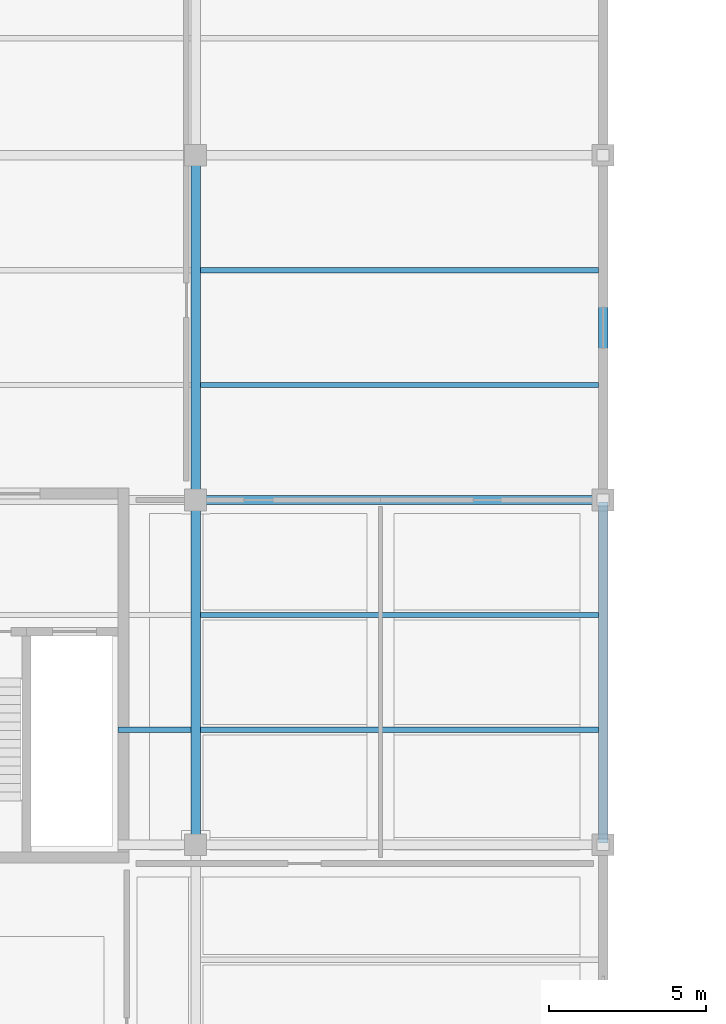
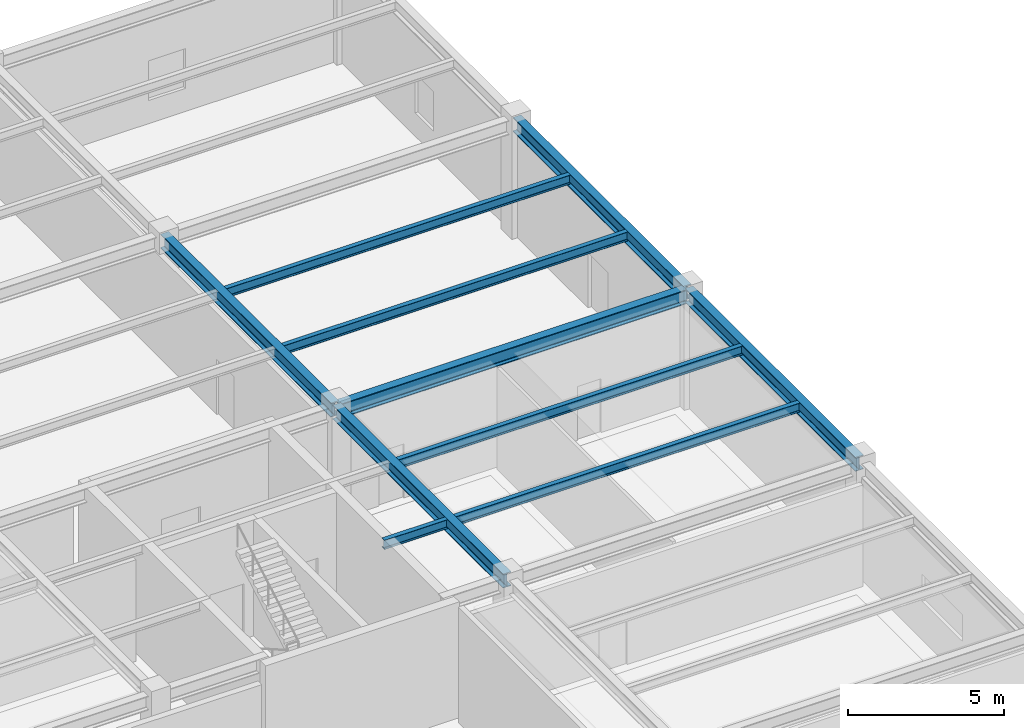
# One storey, part 52 of 108: 10 beams.
"""IFC4 building model written with IfcOpenShell, lengths in metres."""

from ifc_helpers import new_model, si_unit, direction, frame, origin, origin_2d, place, context, subcontext, project, spatial, i_section, extrude, material, material_profile, profile_set, type_object, element, save


model = new_model("IFC4")

# Units and contexts
model_context = context("Model", 3, precision=1e-05, world=origin(), true_north=direction((0.0, 1.0)))
body_context = subcontext(model_context, "Body", "Model", "MODEL_VIEW")
ifc_project = project(units=[si_unit("LENGTHUNIT", "METRE"), si_unit("AREAUNIT", "SQUARE_METRE"), si_unit("VOLUMEUNIT", "CUBIC_METRE"), si_unit("PLANEANGLEUNIT", "RADIAN"), si_unit("MASSUNIT", "GRAM", prefix="KILO")], contexts=[model_context])

# Site, building, storey
site_placement = place(None, origin())
site = spatial("IfcSite", under=ifc_project, at=site_placement, CompositionType="ELEMENT")
building_placement = place(site_placement, origin())
building = spatial("IfcBuilding", under=site, at=building_placement, Name="Tarnveldt Headland Concert Hall", CompositionType="ELEMENT")
storey_placement = place(building_placement, origin())
storey = spatial("IfcBuildingStorey", under=building, at=storey_placement, Name="L00", CompositionType="ELEMENT", Elevation=0.0)

# Beams
ifc_material = material(Name="Steel S355", Category="steel")
ifc_material_profile_1 = material_profile(ifc_material, i_section(OverallWidth=0.300048828125, OverallDepth=0.550048828125, WebThickness=0.014892578125, FlangeThickness=0.029052734375, FilletRadius=0.027099609375, at=origin_2d()), Name="HEB550", Category="steel")
ifc_profile_set_1 = profile_set([ifc_material_profile_1], Name="Steel S355")
beam_type_1 = type_object("IfcBeamType", Name="SB-HEB550", PredefinedType="BEAM", material=ifc_profile_set_1)
beam_1_placement = place(storey_placement, frame((44.56005859375, 93.0, 4.2451171875), z_axis=(1.0, 0.0, 0.0), x_axis=(0.0, 1.0, 0.0)))
element("IfcBeam", 1, at=beam_1_placement, inside=storey, type_object=beam_type_1, Name="Framing beam L00-620", PredefinedType="BEAM", context=body_context, shape_type="SweptSolid", body=[
    extrude(i_section(OverallWidth=0.300048828125, OverallDepth=0.550048828125, WebThickness=0.014892578125, FlangeThickness=0.029052734375, FilletRadius=0.027099609375, at=origin_2d()), origin(), (0.0, 0.0, 1.0), 12.8798828125),
])
for number, where, z_axis, x_axis, name in (
    (2, (44.5, 82.06005859375, 4.2451171875), (0.0, 1.0, 0.0), (-1.0, 0.0, 0.0), "Framing beam L00-663"),
    (3, (44.5, 93.06005859375, 4.2451171875), (0.0, 1.0, 0.0), (-1.0, 0.0, 0.0), "Framing beam L00-666"),
    (4, (57.5, 82.06005859375, 4.2451171875), (0.0, 1.0, 0.0), (-1.0, 0.0, 0.0), "Framing beam L00-674"),
    (5, (57.5, 93.06005859375, 4.2451171875), (0.0, 1.0, 0.0), (-1.0, 0.0, 0.0), "Framing beam L00-675"),
):
    element("IfcBeam", number, at=place(storey_placement, frame(where, z_axis=z_axis, x_axis=x_axis)), inside=storey, type_object=beam_type_1, Name=name, PredefinedType="BEAM", context=body_context, shape_type="SweptSolid", body=[
        extrude(i_section(OverallWidth=0.300048828125, OverallDepth=0.550048828125, WebThickness=0.014892578125, FlangeThickness=0.029052734375, FilletRadius=0.027099609375, at=origin_2d()), origin(), (0.0, 0.0, 1.0), 10.8798828125),
    ])
ifc_material_profile_2 = material_profile(ifc_material, i_section(OverallWidth=0.169921875, OverallDepth=0.360107421875, WebThickness=0.008056640625, FlangeThickness=0.0126953125, FilletRadius=0.01806640625, at=origin_2d()), Name="IPE360", Category="steel")
ifc_profile_set_2 = profile_set([ifc_material_profile_2], Name="Steel S355")
beam_type_2 = type_object("IfcBeamType", Name="SB-IPE360", PredefinedType="JOIST", material=ifc_profile_set_2)
beam_2_placement = place(storey_placement, frame((42.02001953125, 85.6669921875, 4.340087890625), z_axis=(1.0, 0.0, 0.0), x_axis=(0.0, 1.0, 0.0)))
element("IfcBeam", 6, at=beam_2_placement, inside=storey, type_object=beam_type_2, Name="Framing beam L00-649", PredefinedType="JOIST", context=body_context, shape_type="SweptSolid", body=[
    extrude(i_section(OverallWidth=0.169921875, OverallDepth=0.360107421875, WebThickness=0.008056640625, FlangeThickness=0.0126953125, FilletRadius=0.01806640625, at=origin_2d()), origin(), (0.0, 0.0, 1.0), 2.330078125),
])
for number, where, z_axis, x_axis, name in (
    (7, (44.64990234375, 85.6669921875, 4.340087890625), (1.0, 0.0, 0.0), (0.0, 1.0, 0.0), "Framing beam L00-664"),
    (8, (44.64990234375, 89.3330078125, 4.340087890625), (1.0, 0.0, 0.0), (0.0, 1.0, 0.0), "Framing beam L00-665"),
    (9, (44.64990234375, 96.6669921875, 4.340087890625), (1.0, 0.0, 0.0), (0.0, 1.0, 0.0), "Framing beam L00-667"),
    (10, (44.64990234375, 100.3330078125, 4.340087890625), (1.0, 0.0, 0.0), (0.0, 1.0, 0.0), "Framing beam L00-668"),
):
    element("IfcBeam", number, at=place(storey_placement, frame(where, z_axis=z_axis, x_axis=x_axis)), inside=storey, type_object=beam_type_2, Name=name, PredefinedType="JOIST", context=body_context, shape_type="SweptSolid", body=[
        extrude(i_section(OverallWidth=0.169921875, OverallDepth=0.360107421875, WebThickness=0.008056640625, FlangeThickness=0.0126953125, FilletRadius=0.01806640625, at=origin_2d()), origin(), (0.0, 0.0, 1.0), 12.7001953125),
    ])

save(model, "model.ifc")
